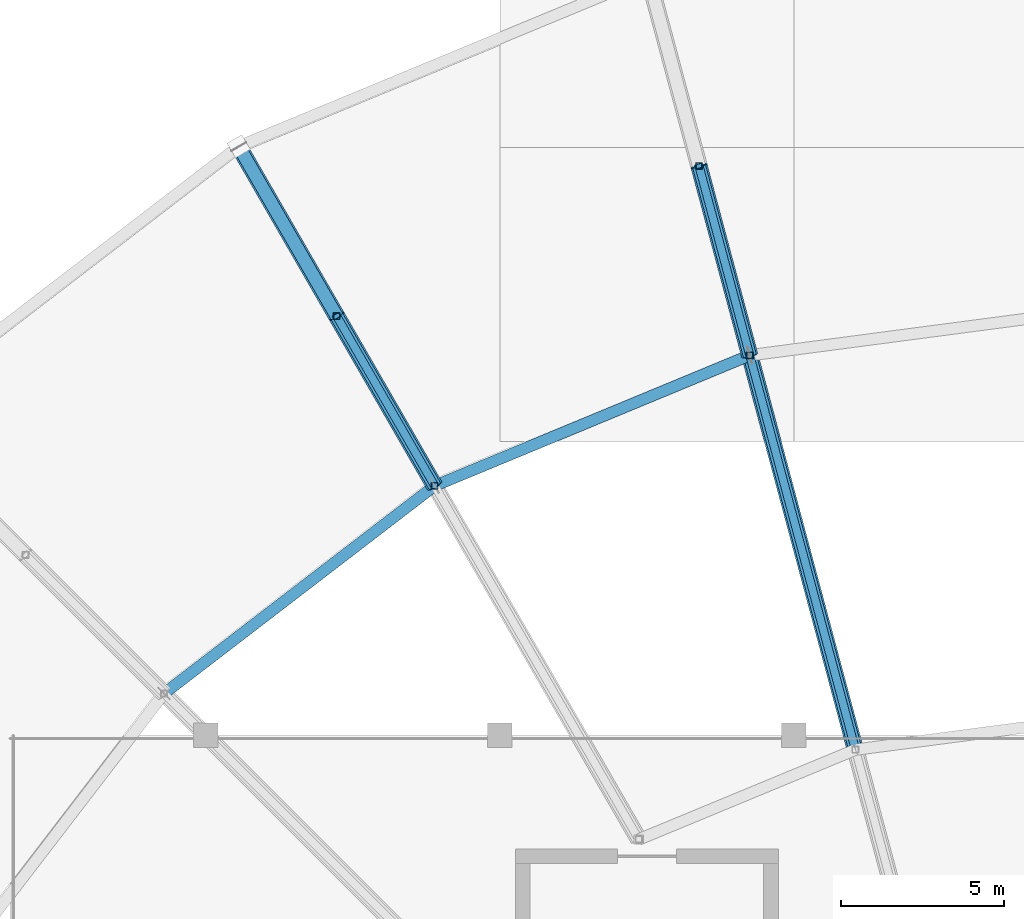
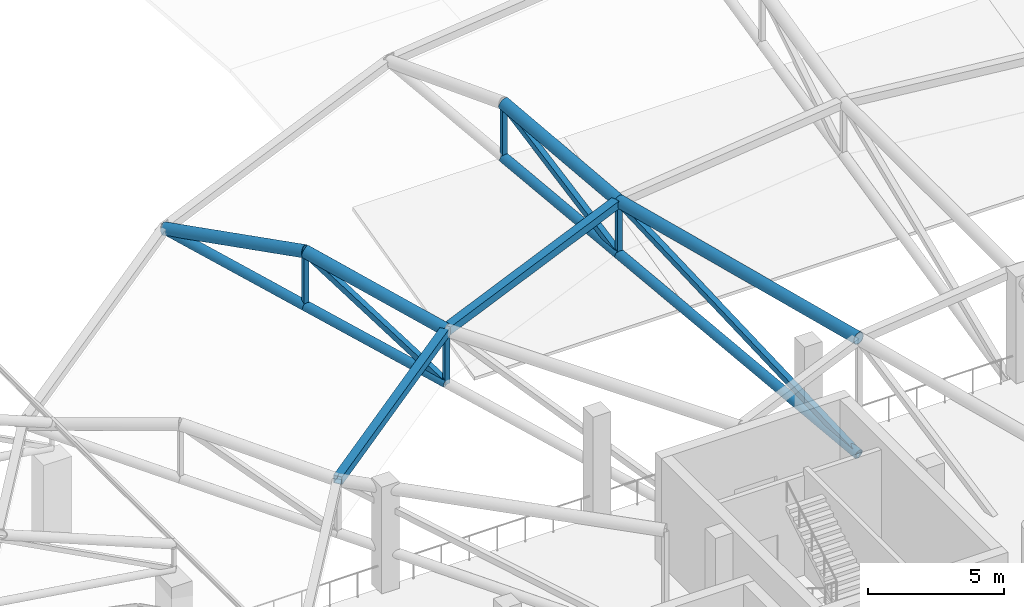
# One storey, part 76 of 167: 17 members.
"""IFC4 building model written with IfcOpenShell, lengths in metres."""

from ifc_helpers import new_model, si_unit, direction, frame, origin, origin_2d, place, context, subcontext, project, spatial, hollow_rectangle, hollow_circle, extrude, material, material_profile, profile_set, type_object, element, save


model = new_model("IFC4")

# Units and contexts
model_context = context("Model", 3, precision=1e-05, world=origin(), true_north=direction((0.0, 1.0)))
body_context = subcontext(model_context, "Body", "Model", "MODEL_VIEW")
ifc_project = project(units=[si_unit("LENGTHUNIT", "METRE"), si_unit("AREAUNIT", "SQUARE_METRE"), si_unit("VOLUMEUNIT", "CUBIC_METRE"), si_unit("PLANEANGLEUNIT", "RADIAN"), si_unit("MASSUNIT", "GRAM", prefix="KILO")], contexts=[model_context])

# Site, building, storey
site_placement = place(None, origin())
site = spatial("IfcSite", under=ifc_project, at=site_placement, CompositionType="ELEMENT")
building_placement = place(site_placement, origin())
building = spatial("IfcBuilding", under=site, at=building_placement, Name="Dornveld Trade and Exhibition Forum", CompositionType="ELEMENT")
storey_placement = place(building_placement, frame((0.0, 0.0, 16.800048828125)))
storey = spatial("IfcBuildingStorey", under=building, at=storey_placement, Name="L03", CompositionType="ELEMENT", Elevation=16.800048828125)

# Members
ifc_material_1 = material(Name="Steel S355J2", Category="steel")
ifc_material_profile_1 = material_profile(ifc_material_1, hollow_circle(Radius=0.203125, WallThickness=0.02001953125, at=origin_2d()), Name="CHS 406.4x20")
ifc_profile_set_1 = profile_set([ifc_material_profile_1], Name="Steel S355J2")
member_type_1 = type_object("IfcMemberType", Name="MEM-DISC-BC", PredefinedType="CHORD", material=ifc_profile_set_1)
member_1_placement = place(storey_placement, frame((109.882568359375, 107.56298828125, -0.76220703125), z_axis=(-0.25240623166, 0.941952172258, 0.221398282283), x_axis=(-0.965923029888, -0.258829481187, 0.0)))
element("IfcMember", 1, at=member_1_placement, inside=storey, type_object=member_type_1, Name="Roof disc radial R08 conical bottom chord 2", PredefinedType="CHORD", context=body_context, shape_type="SweptSolid", body=[
    extrude(hollow_circle(Radius=0.203125, WallThickness=0.02001953125, at=origin_2d()), origin(), (0.0, 0.0, 1.0), 12.818115234375),
])
member_2_placement = place(storey_placement, frame((106.647216796875, 119.636962890625, 2.07568359375), z_axis=(-0.252403210265, 0.941958781399, 0.221373606362), x_axis=(-0.965924258502, -0.258824896092, 0.0)))
element("IfcMember", 2, at=member_2_placement, inside=storey, type_object=member_type_1, Name="Roof disc radial R08 conical bottom chord 3", PredefinedType="CHORD", context=body_context, shape_type="SweptSolid", body=[
    extrude(hollow_circle(Radius=0.203125, WallThickness=0.02001953125, at=origin_2d()), origin(), (0.0, 0.0, 1.0), 6.15283203125),
])
for number, where, z_axis, x_axis, name in (
    (3, (97.0, 115.64111328125, 2.07568359375), (-0.487601282714, 0.844532722982, 0.221380823263), (-0.866020924479, -0.500007758305, 0.0), "Roof disc radial R09 conical bottom chord 3"),
    (4, (94.0, 120.837158203125, 3.437744140625), (-0.487596998988, 0.844525303504, 0.221418559111), (-0.866020924479, -0.500007758305, 0.0), "Roof disc radial R09 conical bottom chord 4"),
):
    element("IfcMember", number, at=place(storey_placement, frame(where, z_axis=z_axis, x_axis=x_axis)), inside=storey, type_object=member_type_1, Name=name, PredefinedType="CHORD", context=body_context, shape_type="SweptSolid", body=[
        extrude(hollow_circle(Radius=0.203125, WallThickness=0.02001953125, at=origin_2d()), origin(), (0.0, 0.0, 1.0), 6.152587890625),
    ])
ifc_material_2 = material(Name="Steel S355J2", Category="steel")
ifc_material_profile_2 = material_profile(ifc_material_2, hollow_rectangle(XDim=0.35009765625, YDim=0.35009765625, WallThickness=0.01611328125, at=origin_2d()), Name="SHS 350x350x16")
ifc_profile_set_2 = profile_set([ifc_material_profile_2], Name="Steel S355J2")
member_type_2 = type_object("IfcMemberType", Name="MEM-DISC-RING", PredefinedType="CHORD", material=ifc_profile_set_2)
member_3_placement = place(storey_placement, frame((106.647216796875, 119.636962890625, 4.449951171875), z_axis=(-0.923884896561, -0.382670482146, 0.0), x_axis=(0.382670482146, -0.923884896561, 0.0)))
element("IfcMember", 5, at=member_3_placement, inside=storey, type_object=member_type_2, Name="Roof disc ring 3 chord 8", PredefinedType="CHORD", context=body_context, shape_type="SweptSolid", body=[
    extrude(hollow_rectangle(XDim=0.35009765625, YDim=0.35009765625, WallThickness=0.01611328125, at=origin_2d()), origin(), (0.0, 0.0, 1.0), 10.44189453125),
])
member_4_placement = place(storey_placement, frame((97.0, 115.64111328125, 4.449951171875), z_axis=(-0.793341363525, -0.608777037117, 0.0), x_axis=(0.608777037117, -0.793341363525, 0.0)))
element("IfcMember", 6, at=member_4_placement, inside=storey, type_object=member_type_2, Name="Roof disc ring 3 chord 9", PredefinedType="CHORD", context=body_context, shape_type="SweptSolid", body=[
    extrude(hollow_rectangle(XDim=0.35009765625, YDim=0.35009765625, WallThickness=0.01611328125, at=origin_2d()), origin(), (0.0, 0.0, 1.0), 10.442138671875),
])
ifc_material_3 = material(Name="Steel S355J2", Category="steel")
ifc_material_profile_3 = material_profile(ifc_material_3, hollow_rectangle(XDim=0.199951171875, YDim=0.199951171875, WallThickness=0.010009765625, at=origin_2d()), Name="SHS 200x200x10")
ifc_profile_set_3 = profile_set([ifc_material_profile_3], Name="Steel S355J2")
member_type_3 = type_object("IfcMemberType", Name="MEM-DISC-STR", PredefinedType="STRUT", material=ifc_profile_set_3)
member_5_placement = place(storey_placement, frame((106.647216796875, 119.636962890625, 2.07568359375), z_axis=(0.0, 0.0, 1.0), x_axis=(1.0, 0.0, 0.0)))
element("IfcMember", 7, at=member_5_placement, inside=storey, type_object=member_type_3, Name="Roof disc radial R08 strut 3", PredefinedType="STRUT", context=body_context, shape_type="SweptSolid", body=[
    extrude(hollow_rectangle(XDim=0.199951171875, YDim=0.199951171875, WallThickness=0.010009765625, at=origin_2d()), origin(), (0.0, 0.0, 1.0), 2.374267578125),
])
member_6_placement = place(storey_placement, frame((105.09423828125, 125.4326171875, 3.437744140625), z_axis=(0.0, 0.0, 1.0), x_axis=(1.0, 0.0, 0.0)))
element("IfcMember", 8, at=member_6_placement, inside=storey, type_object=member_type_3, Name="Roof disc radial R08 strut 4", PredefinedType="STRUT", context=body_context, shape_type="SweptSolid", body=[
    extrude(hollow_rectangle(XDim=0.199951171875, YDim=0.199951171875, WallThickness=0.010009765625, at=origin_2d()), origin(), (0.0, 0.0, 1.0), 2.437255859375),
])
member_7_placement = place(storey_placement, frame((97.0, 115.64111328125, 2.07568359375), z_axis=(0.0, 0.0, 1.0), x_axis=(1.0, 0.0, 0.0)))
element("IfcMember", 9, at=member_7_placement, inside=storey, type_object=member_type_3, Name="Roof disc radial R09 strut 3", PredefinedType="STRUT", context=body_context, shape_type="SweptSolid", body=[
    extrude(hollow_rectangle(XDim=0.199951171875, YDim=0.199951171875, WallThickness=0.010009765625, at=origin_2d()), origin(), (0.0, 0.0, 1.0), 2.374267578125),
])
member_8_placement = place(storey_placement, frame((94.0, 120.837158203125, 3.437744140625), z_axis=(0.0, 0.0, 1.0), x_axis=(1.0, 0.0, 0.0)))
element("IfcMember", 10, at=member_8_placement, inside=storey, type_object=member_type_3, Name="Roof disc radial R09 strut 4", PredefinedType="STRUT", context=body_context, shape_type="SweptSolid", body=[
    extrude(hollow_rectangle(XDim=0.199951171875, YDim=0.199951171875, WallThickness=0.010009765625, at=origin_2d()), origin(), (0.0, 0.0, 1.0), 2.437255859375),
])
ifc_material_4 = material(Name="Steel S355J2", Category="steel")
ifc_material_profile_4 = material_profile(ifc_material_4, hollow_circle(Radius=0.25390625, WallThickness=0.02490234375, at=origin_2d()), Name="CHS 508x25")
ifc_profile_set_4 = profile_set([ifc_material_profile_4], Name="Steel S355J2")
member_type_4 = type_object("IfcMemberType", Name="MEM-DISC-TC", PredefinedType="CHORD", material=ifc_profile_set_4)
member_9_placement = place(storey_placement, frame((109.882568359375, 107.56298828125, 4.449951171875), z_axis=(-0.258829481187, 0.965923029888, 0.0), x_axis=(-0.965923029888, -0.258829481187, 0.0)))
element("IfcMember", 11, at=member_9_placement, inside=storey, type_object=member_type_4, Name="Roof disc radial R08 top chord 2", PredefinedType="CHORD", context=body_context, shape_type="SweptSolid", body=[
    extrude(hollow_circle(Radius=0.25390625, WallThickness=0.02490234375, at=origin_2d()), origin(), (0.0, 0.0, 1.0), 12.5),
])
member_10_placement = place(storey_placement, frame((106.647216796875, 119.636962890625, 4.449951171875), z_axis=(-0.251819993215, 0.939782238472, 0.231075821474), x_axis=(-0.965924258502, -0.258824896092, 0.0)))
element("IfcMember", 12, at=member_10_placement, inside=storey, type_object=member_type_4, Name="Roof disc radial R08 top chord 3", PredefinedType="CHORD", context=body_context, shape_type="SweptSolid", body=[
    extrude(hollow_circle(Radius=0.25390625, WallThickness=0.02490234375, at=origin_2d()), origin(), (0.0, 0.0, 1.0), 6.1669921875),
])
member_11_placement = place(storey_placement, frame((97.0, 115.64111328125, 4.449951171875), z_axis=(-0.486474530565, 0.842581171387, 0.231083319898), x_axis=(-0.866020924479, -0.500007758305, 0.0)))
element("IfcMember", 13, at=member_11_placement, inside=storey, type_object=member_type_4, Name="Roof disc radial R09 top chord 3", PredefinedType="CHORD", context=body_context, shape_type="SweptSolid", body=[
    extrude(hollow_circle(Radius=0.25390625, WallThickness=0.02490234375, at=origin_2d()), origin(), (0.0, 0.0, 1.0), 6.166748046875),
])
member_12_placement = place(storey_placement, frame((94.0, 120.837158203125, 5.875), z_axis=(-0.492171103715, 0.852447721385, -0.176353301567), x_axis=(-0.866020924479, -0.500007758305, 0.0)))
element("IfcMember", 14, at=member_12_placement, inside=storey, type_object=member_type_4, Name="Roof disc radial R09 top chord 4", PredefinedType="CHORD", context=body_context, shape_type="SweptSolid", body=[
    extrude(hollow_circle(Radius=0.25390625, WallThickness=0.02490234375, at=origin_2d()), origin(), (0.0, 0.0, 1.0), 6.095458984375),
])
ifc_material_5 = material(Name="Steel S355J2", Category="steel")
ifc_material_profile_5 = material_profile(ifc_material_5, hollow_rectangle(XDim=0.25, YDim=0.25, WallThickness=0.012451171875, at=origin_2d()), Name="SHS 250x250x12.5")
ifc_profile_set_5 = profile_set([ifc_material_profile_5], Name="Steel S355J2")
member_type_5 = type_object("IfcMemberType", Name="MEM-DISC-WEB", PredefinedType="BRACE", material=ifc_profile_set_5)
member_13_placement = place(storey_placement, frame((109.882568359375, 107.56298828125, -0.76220703125), z_axis=(-0.23889337529, 0.891523685101, 0.384857732347), x_axis=(-0.965923029888, -0.258829481187, 0.0)))
element("IfcMember", 15, at=member_13_placement, inside=storey, type_object=member_type_5, Name="Roof disc radial R08 web 2", PredefinedType="BRACE", context=body_context, shape_type="SweptSolid", body=[
    extrude(hollow_rectangle(XDim=0.25, YDim=0.25, WallThickness=0.012451171875, at=origin_2d()), origin(), (0.0, 0.0, 1.0), 13.54296875),
])
member_14_placement = place(storey_placement, frame((106.647216796875, 119.636962890625, 2.07568359375), z_axis=(-0.218672644597, 0.816077646612, 0.534976213681), x_axis=(-0.965924258502, -0.258824896092, 0.0)))
element("IfcMember", 16, at=member_14_placement, inside=storey, type_object=member_type_5, Name="Roof disc radial R08 web 3", PredefinedType="BRACE", context=body_context, shape_type="SweptSolid", body=[
    extrude(hollow_rectangle(XDim=0.25, YDim=0.25, WallThickness=0.012451171875, at=origin_2d()), origin(), (0.0, 0.0, 1.0), 7.101806640625),
])
member_15_placement = place(storey_placement, frame((97.0, 115.64111328125, 2.07568359375), z_axis=(-0.422435970228, 0.731665425973, 0.534989304092), x_axis=(-0.866020924479, -0.500007758305, 0.0)))
element("IfcMember", 17, at=member_15_placement, inside=storey, type_object=member_type_5, Name="Roof disc radial R09 web 3", PredefinedType="BRACE", context=body_context, shape_type="SweptSolid", body=[
    extrude(hollow_rectangle(XDim=0.25, YDim=0.25, WallThickness=0.012451171875, at=origin_2d()), origin(), (0.0, 0.0, 1.0), 7.1015625),
])

save(model, "model.ifc")
